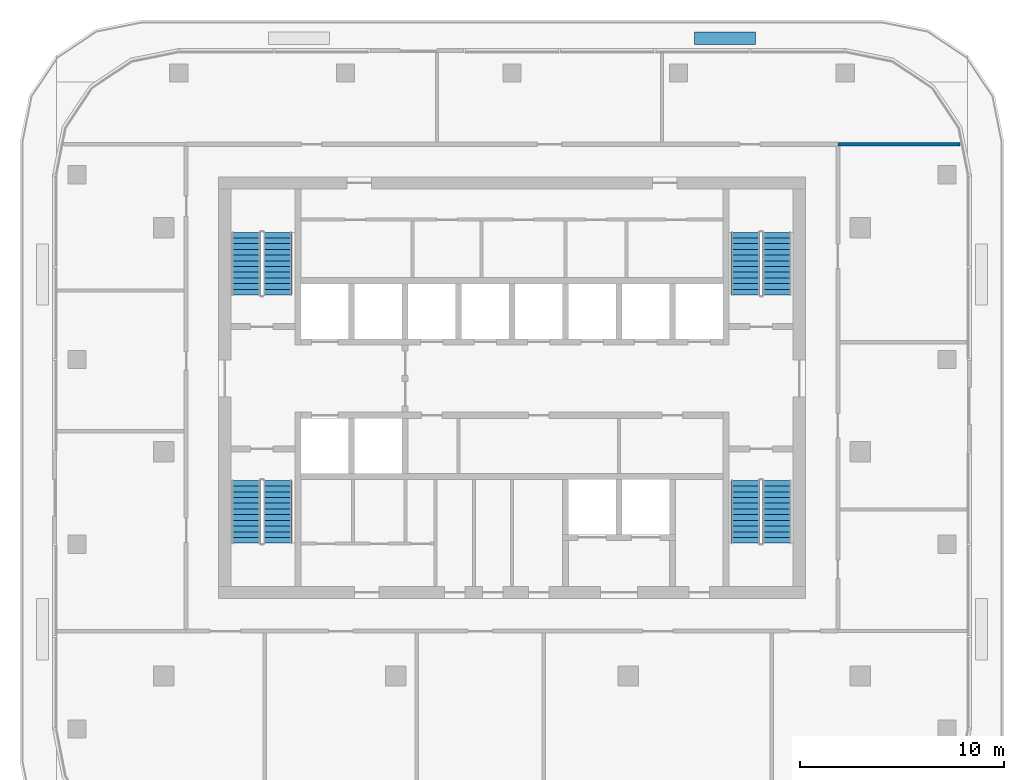
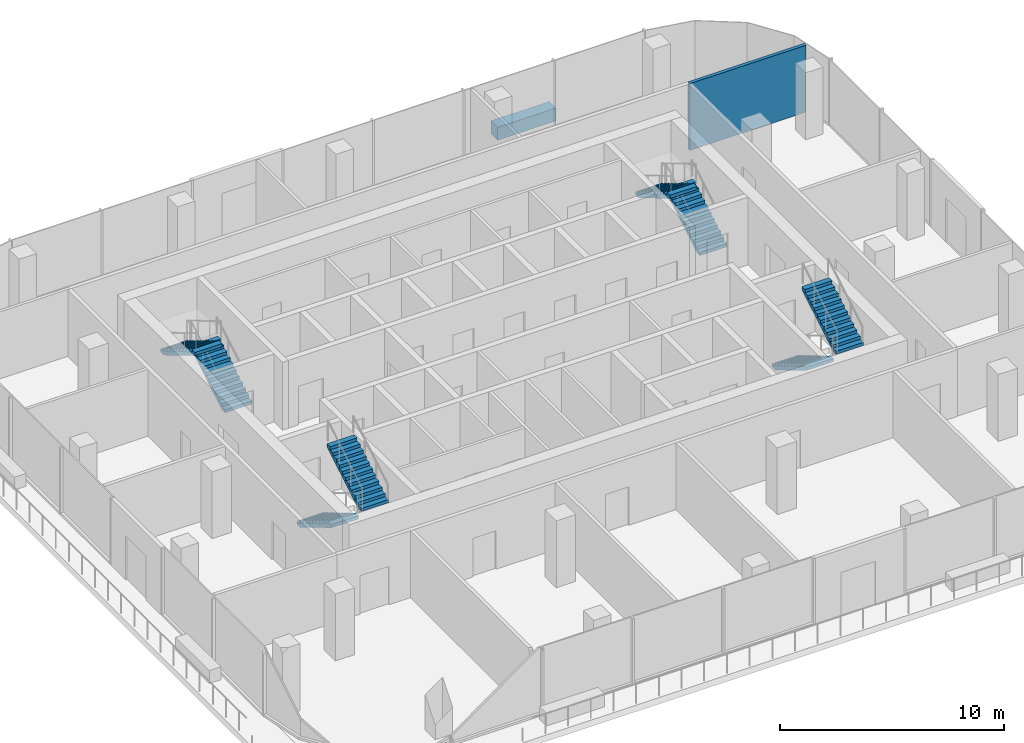
# One storey, part 9 of 12: 8 stair flights, 2 walls, 4 elements without a shape of their own.
"""IFC4 building model written with IfcOpenShell, lengths in metres."""

from ifc_helpers import new_model, si_unit, direction, frame, frame_2d, origin, place, context, subcontext, project, spatial, polyline, rectangle, outline, extrude, material, layer, layer_set, type_object, element, aggregate, save


model = new_model("IFC4")

# Units and contexts
model_context = context("Model", 3, precision=1e-05, world=origin(), true_north=direction((0.0, 1.0)))
body_context = subcontext(model_context, "Body", "Model", "MODEL_VIEW")
ifc_project = project(units=[si_unit("LENGTHUNIT", "METRE"), si_unit("AREAUNIT", "SQUARE_METRE"), si_unit("VOLUMEUNIT", "CUBIC_METRE"), si_unit("PLANEANGLEUNIT", "RADIAN"), si_unit("MASSUNIT", "GRAM", prefix="KILO")], contexts=[model_context])

# Site, building, storey
site_placement = place(None, origin())
site = spatial("IfcSite", under=ifc_project, at=site_placement, CompositionType="ELEMENT")
building_placement = place(site_placement, origin())
building = spatial("IfcBuilding", under=site, at=building_placement, Name="Mopane Tessera Tower", CompositionType="ELEMENT")
storey_placement = place(building_placement, frame((0.0, 0.0, 349.39990234375)))
storey = spatial("IfcBuildingStorey", under=building, at=storey_placement, Name="L76", CompositionType="ELEMENT", Elevation=349.39990234375)

# Walls
ifc_material_1 = material(Name="Gypsum board on staggered steel studs, double layer each face, acoustic mineral wool infill", Category="steel")
ifc_layer_1 = layer(ifc_material_1, 0.175048828125)
ifc_layer_set_1 = layer_set([ifc_layer_1], Name="Gypsum board on staggered steel studs, double layer each face, acoustic mineral wool infill")
wall_type_1 = type_object("IfcWallType", Name="Gypsum board acoustic partition 175, rated EI 60", PredefinedType="PARTITIONING", material=ifc_layer_set_1)
wall_1_placement = place(storey_placement, frame((16.0, 15.10009765625, 0.0), z_axis=(0.0, 0.0, 1.0), x_axis=(1.0, 0.0, 0.0)))
element("IfcWall", 1, at=wall_1_placement, inside=storey, type_object=wall_type_1, Name="Partition L76:008", PredefinedType="PARTITIONING", context=body_context, shape_type="SweptSolid", body=[
    extrude(rectangle(XDim=6.0, YDim=0.175048828125, at=frame_2d((3.0, 0.0))), origin(), (0.0, 0.0, 1.0), 3.650146484375),
])
ifc_material_2 = material(Name="Reinforced concrete C32/40 with waterproofing", Category="concrete")
ifc_layer_2 = layer(ifc_material_2, 0.60009765625)
ifc_layer_set_2 = layer_set([ifc_layer_2], Name="Reinforced concrete C32/40 with waterproofing")
wall_type_2 = type_object("IfcWallType", Name="Planter trough 3000 x 600", PredefinedType="STANDARD", material=ifc_layer_set_2)
wall_2_placement = place(storey_placement, frame((11.964111328125, 20.300048828125, 0.0), z_axis=(0.0, 0.0, 1.0), x_axis=(-1.0, 0.0, 0.0)))
element("IfcWall", 2, at=wall_2_placement, inside=storey, type_object=wall_type_2, Name="e:sp:L76:N0", PredefinedType="STANDARD", context=body_context, shape_type="SweptSolid", body=[
    extrude(rectangle(XDim=3.0, YDim=0.60009765625, at=frame_2d((1.5, 0.0))), origin(), (0.0, 0.0, 1.0), 0.7001953125),
])

# Stair, stair flights
ifc_material_3 = material(Name="Concrete C50/60", Category="concrete")
stair_type = type_object("IfcStairType", Name="Escape stair 1400 mm, riser 167 mm", PredefinedType="HALF_TURN_STAIR", material=ifc_material_3)
stair_1_placement = place(storey_placement, origin())
stair_1 = element("IfcStair", 3, at=stair_1_placement, inside=storey, type_object=stair_type, Name="L76 Escape stair south-west", PredefinedType="HALF_TURN_STAIR")
ifc_material_4 = material(Name="Concrete C50/60", Category="concrete")
stair_flight_type = type_object("IfcStairFlightType", Name="Escape stair flight 1400 mm", PredefinedType="STRAIGHT", material=ifc_material_4)
stair_flight_1_placement = place(storey_placement, frame((-13.050048828125, -1.39990234375, 0.0), z_axis=(0.0, 0.0, 1.0), x_axis=(0.0, -1.0, 0.0)))
stair_flight_1 = element("IfcStairFlight", 4, at=stair_flight_1_placement, type_object=stair_flight_type, Name="ST1 flight 1", NumberOfRisers=12, NumberOfTreads=11, PredefinedType="STRAIGHT", RiserHeight=0.166666667, TreadLength=0.28, context=body_context, shape_type="SweptSolid", body=[
    extrude(outline(polyline([(0.0, 0.0), (0.0, 0.166748046875), (0.280029296875, 0.166748046875), (0.280029296875, 0.333251953125), (0.56005859375, 0.333251953125), (0.56005859375, 0.5), (0.840087890625, 0.5), (0.840087890625, 0.666748046875), (1.1201171875, 0.666748046875), (1.1201171875, 0.833251953125), (1.39990234375, 0.833251953125), (1.39990234375, 1.0), (1.679931640625, 1.0), (1.679931640625, 1.166748046875), (1.9599609375, 1.166748046875), (1.9599609375, 1.333251953125), (2.239990234375, 1.333251953125), (2.239990234375, 1.5), (2.52001953125, 1.5), (2.52001953125, 1.666748046875), (2.800048828125, 1.666748046875), (2.800048828125, 1.833251953125), (3.080078125, 1.833251953125), (3.080078125, 2.0), (3.080078125, 1.658935546875), (0.29296875, 0.0), (0.0, 0.0)])), frame((0.0, 0.699951171875, 0.0), z_axis=(0.0, -1.0, 0.0), x_axis=(1.0, 0.0, 0.0)), (0.0, 0.0, 1.0), 1.39990234375),
])
stair_flight_2_placement = place(storey_placement, frame((-11.5, -4.47998046875, 2.0), z_axis=(0.0, 0.0, 1.0), x_axis=(0.0, 1.0, 0.0)))
stair_flight_2 = element("IfcStairFlight", 5, at=stair_flight_2_placement, type_object=stair_flight_type, Name="ST1 flight 2", NumberOfRisers=12, NumberOfTreads=11, PredefinedType="STRAIGHT", RiserHeight=0.166666667, TreadLength=0.28, context=body_context, shape_type="SweptSolid", body=[
    extrude(outline(polyline([(0.0, 0.0), (0.0, 0.166748046875), (0.280029296875, 0.166748046875), (0.280029296875, 0.333251953125), (0.56005859375, 0.333251953125), (0.56005859375, 0.5), (0.840087890625, 0.5), (0.840087890625, 0.666748046875), (1.1201171875, 0.666748046875), (1.1201171875, 0.833251953125), (1.39990234375, 0.833251953125), (1.39990234375, 1.0), (1.679931640625, 1.0), (1.679931640625, 1.166748046875), (1.9599609375, 1.166748046875), (1.9599609375, 1.333251953125), (2.239990234375, 1.333251953125), (2.239990234375, 1.5), (2.52001953125, 1.5), (2.52001953125, 1.666748046875), (2.800048828125, 1.666748046875), (2.800048828125, 1.833251953125), (3.080078125, 1.833251953125), (3.080078125, 2.0), (3.080078125, 1.658935546875), (0.29296875, 0.0), (0.0, 0.0)])), frame((0.0, 0.699951171875, 0.0), z_axis=(0.0, -1.0, 0.0), x_axis=(1.0, 0.0, 0.0)), (0.0, 0.0, 1.0), 1.39990234375),
])
aggregate(stair_1, [stair_flight_1, stair_flight_2])

stair_2_placement = place(storey_placement, origin())
stair_2 = element("IfcStair", 6, at=stair_2_placement, inside=storey, type_object=stair_type, Name="L76 Escape stair north-west", PredefinedType="HALF_TURN_STAIR")
stair_flight_3_placement = place(storey_placement, frame((-11.5, 7.699951171875, 0.0), z_axis=(0.0, 0.0, 1.0), x_axis=(0.0, 1.0, 0.0)))
stair_flight_3 = element("IfcStairFlight", 7, at=stair_flight_3_placement, type_object=stair_flight_type, Name="ST2 flight 1", NumberOfRisers=12, NumberOfTreads=11, PredefinedType="STRAIGHT", RiserHeight=0.166666667, TreadLength=0.28, context=body_context, shape_type="SweptSolid", body=[
    extrude(outline(polyline([(0.0, 0.0), (0.0, 0.166748046875), (0.280029296875, 0.166748046875), (0.280029296875, 0.333251953125), (0.56005859375, 0.333251953125), (0.56005859375, 0.5), (0.840087890625, 0.5), (0.840087890625, 0.666748046875), (1.1201171875, 0.666748046875), (1.1201171875, 0.833251953125), (1.39990234375, 0.833251953125), (1.39990234375, 1.0), (1.679931640625, 1.0), (1.679931640625, 1.166748046875), (1.9599609375, 1.166748046875), (1.9599609375, 1.333251953125), (2.239990234375, 1.333251953125), (2.239990234375, 1.5), (2.52001953125, 1.5), (2.52001953125, 1.666748046875), (2.800048828125, 1.666748046875), (2.800048828125, 1.833251953125), (3.080078125, 1.833251953125), (3.080078125, 2.0), (3.080078125, 1.658935546875), (0.29296875, 0.0), (0.0, 0.0)])), frame((0.0, 0.699951171875, 0.0), z_axis=(0.0, -1.0, 0.0), x_axis=(1.0, 0.0, 0.0)), (0.0, 0.0, 1.0), 1.39990234375),
])
stair_flight_4_placement = place(storey_placement, frame((-13.050048828125, 10.780029296875, 2.0), z_axis=(0.0, 0.0, 1.0), x_axis=(0.0, -1.0, 0.0)))
stair_flight_4 = element("IfcStairFlight", 8, at=stair_flight_4_placement, type_object=stair_flight_type, Name="ST2 flight 2", NumberOfRisers=12, NumberOfTreads=11, PredefinedType="STRAIGHT", RiserHeight=0.166666667, TreadLength=0.28, context=body_context, shape_type="SweptSolid", body=[
    extrude(outline(polyline([(0.0, 0.0), (0.0, 0.166748046875), (0.280029296875, 0.166748046875), (0.280029296875, 0.333251953125), (0.56005859375, 0.333251953125), (0.56005859375, 0.5), (0.840087890625, 0.5), (0.840087890625, 0.666748046875), (1.1201171875, 0.666748046875), (1.1201171875, 0.833251953125), (1.39990234375, 0.833251953125), (1.39990234375, 1.0), (1.679931640625, 1.0), (1.679931640625, 1.166748046875), (1.9599609375, 1.166748046875), (1.9599609375, 1.333251953125), (2.239990234375, 1.333251953125), (2.239990234375, 1.5), (2.52001953125, 1.5), (2.52001953125, 1.666748046875), (2.800048828125, 1.666748046875), (2.800048828125, 1.833251953125), (3.080078125, 1.833251953125), (3.080078125, 2.0), (3.080078125, 1.658935546875), (0.29296875, 0.0), (0.0, 0.0)])), frame((0.0, 0.699951171875, 0.0), z_axis=(0.0, -1.0, 0.0), x_axis=(1.0, 0.0, 0.0)), (0.0, 0.0, 1.0), 1.39990234375),
])
aggregate(stair_2, [stair_flight_3, stair_flight_4])

stair_3_placement = place(storey_placement, origin())
stair_3 = element("IfcStair", 9, at=stair_3_placement, inside=storey, type_object=stair_type, Name="L76 Escape stair south-east", PredefinedType="HALF_TURN_STAIR")
stair_flight_5_placement = place(storey_placement, frame((11.449951171875, -1.39990234375, 0.0), z_axis=(0.0, 0.0, 1.0), x_axis=(0.0, -1.0, 0.0)))
stair_flight_5 = element("IfcStairFlight", 10, at=stair_flight_5_placement, type_object=stair_flight_type, Name="ST3 flight 1", NumberOfRisers=12, NumberOfTreads=11, PredefinedType="STRAIGHT", RiserHeight=0.166666667, TreadLength=0.28, context=body_context, shape_type="SweptSolid", body=[
    extrude(outline(polyline([(0.0, 0.0), (0.0, 0.166748046875), (0.280029296875, 0.166748046875), (0.280029296875, 0.333251953125), (0.56005859375, 0.333251953125), (0.56005859375, 0.5), (0.840087890625, 0.5), (0.840087890625, 0.666748046875), (1.1201171875, 0.666748046875), (1.1201171875, 0.833251953125), (1.39990234375, 0.833251953125), (1.39990234375, 1.0), (1.679931640625, 1.0), (1.679931640625, 1.166748046875), (1.9599609375, 1.166748046875), (1.9599609375, 1.333251953125), (2.239990234375, 1.333251953125), (2.239990234375, 1.5), (2.52001953125, 1.5), (2.52001953125, 1.666748046875), (2.800048828125, 1.666748046875), (2.800048828125, 1.833251953125), (3.080078125, 1.833251953125), (3.080078125, 2.0), (3.080078125, 1.658935546875), (0.29296875, 0.0), (0.0, 0.0)])), frame((0.0, 0.699951171875, 0.0), z_axis=(0.0, -1.0, 0.0), x_axis=(1.0, 0.0, 0.0)), (0.0, 0.0, 1.0), 1.39990234375),
])
stair_flight_6_placement = place(storey_placement, frame((13.0, -4.47998046875, 2.0), z_axis=(0.0, 0.0, 1.0), x_axis=(0.0, 1.0, 0.0)))
stair_flight_6 = element("IfcStairFlight", 11, at=stair_flight_6_placement, type_object=stair_flight_type, Name="ST3 flight 2", NumberOfRisers=12, NumberOfTreads=11, PredefinedType="STRAIGHT", RiserHeight=0.166666667, TreadLength=0.28, context=body_context, shape_type="SweptSolid", body=[
    extrude(outline(polyline([(0.0, 0.0), (0.0, 0.166748046875), (0.280029296875, 0.166748046875), (0.280029296875, 0.333251953125), (0.56005859375, 0.333251953125), (0.56005859375, 0.5), (0.840087890625, 0.5), (0.840087890625, 0.666748046875), (1.1201171875, 0.666748046875), (1.1201171875, 0.833251953125), (1.39990234375, 0.833251953125), (1.39990234375, 1.0), (1.679931640625, 1.0), (1.679931640625, 1.166748046875), (1.9599609375, 1.166748046875), (1.9599609375, 1.333251953125), (2.239990234375, 1.333251953125), (2.239990234375, 1.5), (2.52001953125, 1.5), (2.52001953125, 1.666748046875), (2.800048828125, 1.666748046875), (2.800048828125, 1.833251953125), (3.080078125, 1.833251953125), (3.080078125, 2.0), (3.080078125, 1.658935546875), (0.29296875, 0.0), (0.0, 0.0)])), frame((0.0, 0.699951171875, 0.0), z_axis=(0.0, -1.0, 0.0), x_axis=(1.0, 0.0, 0.0)), (0.0, 0.0, 1.0), 1.39990234375),
])
aggregate(stair_3, [stair_flight_5, stair_flight_6])

stair_4_placement = place(storey_placement, origin())
stair_4 = element("IfcStair", 12, at=stair_4_placement, inside=storey, type_object=stair_type, Name="L76 Escape stair north-east", PredefinedType="HALF_TURN_STAIR")
stair_flight_7_placement = place(storey_placement, frame((13.0, 7.699951171875, 0.0), z_axis=(0.0, 0.0, 1.0), x_axis=(0.0, 1.0, 0.0)))
stair_flight_7 = element("IfcStairFlight", 13, at=stair_flight_7_placement, type_object=stair_flight_type, Name="ST4 flight 1", NumberOfRisers=12, NumberOfTreads=11, PredefinedType="STRAIGHT", RiserHeight=0.166666667, TreadLength=0.28, context=body_context, shape_type="SweptSolid", body=[
    extrude(outline(polyline([(0.0, 0.0), (0.0, 0.166748046875), (0.280029296875, 0.166748046875), (0.280029296875, 0.333251953125), (0.56005859375, 0.333251953125), (0.56005859375, 0.5), (0.840087890625, 0.5), (0.840087890625, 0.666748046875), (1.1201171875, 0.666748046875), (1.1201171875, 0.833251953125), (1.39990234375, 0.833251953125), (1.39990234375, 1.0), (1.679931640625, 1.0), (1.679931640625, 1.166748046875), (1.9599609375, 1.166748046875), (1.9599609375, 1.333251953125), (2.239990234375, 1.333251953125), (2.239990234375, 1.5), (2.52001953125, 1.5), (2.52001953125, 1.666748046875), (2.800048828125, 1.666748046875), (2.800048828125, 1.833251953125), (3.080078125, 1.833251953125), (3.080078125, 2.0), (3.080078125, 1.658935546875), (0.29296875, 0.0), (0.0, 0.0)])), frame((0.0, 0.699951171875, 0.0), z_axis=(0.0, -1.0, 0.0), x_axis=(1.0, 0.0, 0.0)), (0.0, 0.0, 1.0), 1.39990234375),
])
stair_flight_8_placement = place(storey_placement, frame((11.449951171875, 10.780029296875, 2.0), z_axis=(0.0, 0.0, 1.0), x_axis=(0.0, -1.0, 0.0)))
stair_flight_8 = element("IfcStairFlight", 14, at=stair_flight_8_placement, type_object=stair_flight_type, Name="ST4 flight 2", NumberOfRisers=12, NumberOfTreads=11, PredefinedType="STRAIGHT", RiserHeight=0.166666667, TreadLength=0.28, context=body_context, shape_type="SweptSolid", body=[
    extrude(outline(polyline([(0.0, 0.0), (0.0, 0.166748046875), (0.280029296875, 0.166748046875), (0.280029296875, 0.333251953125), (0.56005859375, 0.333251953125), (0.56005859375, 0.5), (0.840087890625, 0.5), (0.840087890625, 0.666748046875), (1.1201171875, 0.666748046875), (1.1201171875, 0.833251953125), (1.39990234375, 0.833251953125), (1.39990234375, 1.0), (1.679931640625, 1.0), (1.679931640625, 1.166748046875), (1.9599609375, 1.166748046875), (1.9599609375, 1.333251953125), (2.239990234375, 1.333251953125), (2.239990234375, 1.5), (2.52001953125, 1.5), (2.52001953125, 1.666748046875), (2.800048828125, 1.666748046875), (2.800048828125, 1.833251953125), (3.080078125, 1.833251953125), (3.080078125, 2.0), (3.080078125, 1.658935546875), (0.29296875, 0.0), (0.0, 0.0)])), frame((0.0, 0.699951171875, 0.0), z_axis=(0.0, -1.0, 0.0), x_axis=(1.0, 0.0, 0.0)), (0.0, 0.0, 1.0), 1.39990234375),
])
aggregate(stair_4, [stair_flight_7, stair_flight_8])

save(model, "model.ifc")
